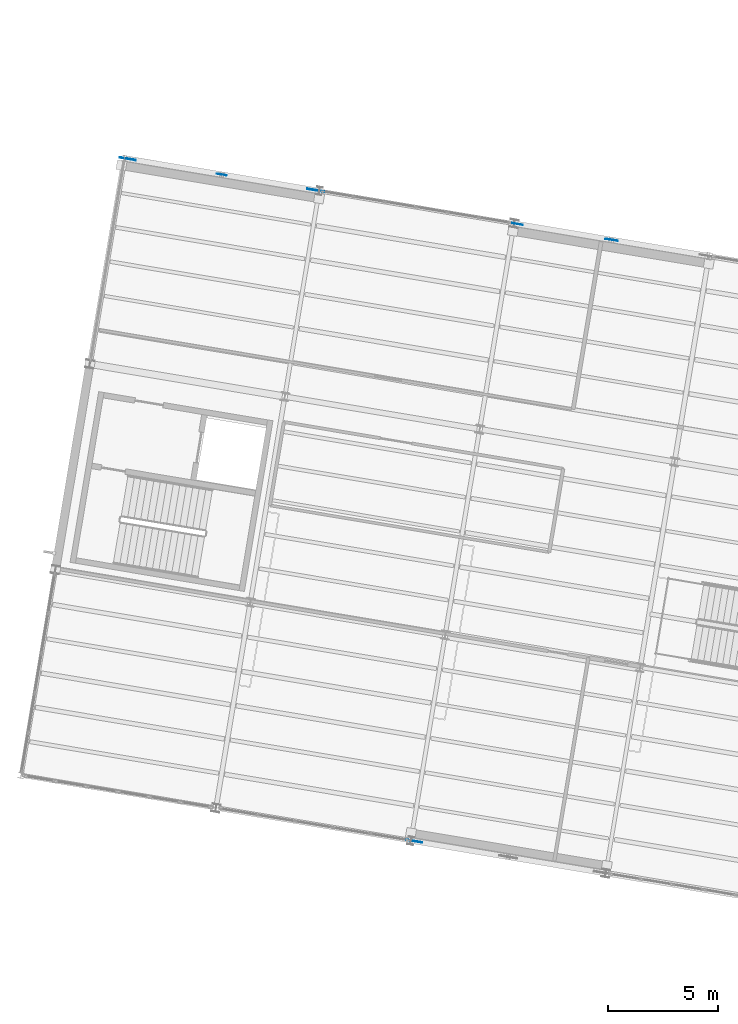
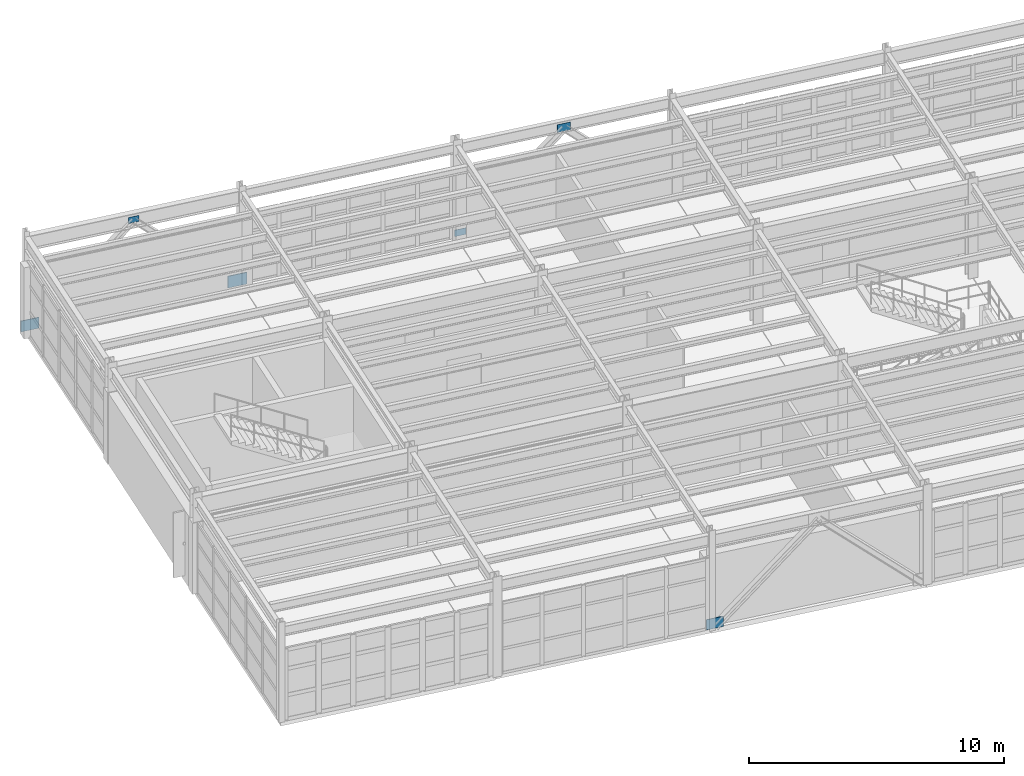
# One storey, part 83 of 109: 6 plates.
"""IFC4 building model written with IfcOpenShell, lengths in metres."""

from ifc_helpers import new_model, si_unit, direction, frame, origin, origin_2d, place, context, subcontext, project, spatial, rectangle, extrude, material, layer, layer_set, type_object, element, save


model = new_model("IFC4")

# Units and contexts
model_context = context("Model", 3, precision=1e-05, world=origin(), true_north=direction((0.0, 1.0)))
body_context = subcontext(model_context, "Body", "Model", "MODEL_VIEW")
ifc_project = project(units=[si_unit("LENGTHUNIT", "METRE"), si_unit("AREAUNIT", "SQUARE_METRE"), si_unit("VOLUMEUNIT", "CUBIC_METRE"), si_unit("PLANEANGLEUNIT", "RADIAN"), si_unit("MASSUNIT", "GRAM", prefix="KILO")], contexts=[model_context])

# Site, building, storey
site_placement = place(None, origin())
site = spatial("IfcSite", under=ifc_project, at=site_placement, CompositionType="ELEMENT")
building_placement = place(site_placement, origin())
building = spatial("IfcBuilding", under=site, at=building_placement, Name="Vireo Bluff Cable Station", CompositionType="ELEMENT")
storey_placement = place(building_placement, frame((0.0, 0.0, 4.800048828125)))
storey = spatial("IfcBuildingStorey", under=building, at=storey_placement, Name="L01", CompositionType="ELEMENT", Elevation=4.800048828125)

# Plates
ifc_material = material(Name="Steel ASTM A572 Gr. 50", Category="steel")
ifc_layer_1 = layer(ifc_material, 0.01708984375, Name="Steel ASTM A572 Gr. 50")
ifc_layer_set_1 = layer_set([ifc_layer_1], Name="Steel ASTM A572 Gr. 50")
plate_type_1 = type_object("IfcPlateType", Name="GUSSET-440X290X17", PredefinedType="USERDEFINED", material=ifc_layer_set_1)
plate_1_placement = place(storey_placement, frame((14.64208984375, 98.866455078125, 4.034912109375), z_axis=(0.0, 0.0, 1.0), x_axis=(0.986285601537, -0.165047605861, 0.0)))
element("IfcPlate", 1, at=plate_1_placement, inside=storey, type_object=plate_type_1, Name="V4 L01 chevron gusset plate 190", ObjectType="GUSSET PLATE", PredefinedType="USERDEFINED", context=body_context, shape_type="SweptSolid", body=[
    extrude(rectangle(XDim=0.43994140625, YDim=0.01708984375, at=origin_2d()), origin(), (0.0, 0.0, 1.0), 0.2900390625),
])
ifc_layer_2 = layer(ifc_material, 0.01904296875, Name="Steel ASTM A572 Gr. 50")
ifc_layer_set_2 = layer_set([ifc_layer_2], Name="Steel ASTM A572 Gr. 50")
plate_type_2 = type_object("IfcPlateType", Name="GUSSET-480X310X19", PredefinedType="USERDEFINED", material=ifc_layer_set_2)
plate_2_placement = place(storey_placement, frame((28.11474609375, 96.61181640625, 0.06494140625), z_axis=(0.0, 0.0, 1.0), x_axis=(0.986285601537, -0.165047605861, 0.0)))
element("IfcPlate", 2, at=plate_2_placement, inside=storey, type_object=plate_type_2, Name="V4 L01 brace base gusset plate 191", ObjectType="GUSSET PLATE", PredefinedType="USERDEFINED", context=body_context, shape_type="SweptSolid", body=[
    extrude(rectangle(XDim=0.47998046875, YDim=0.01904296875, at=origin_2d()), origin(), (0.0, 0.0, 1.0), 0.31005859375),
])
ifc_layer_3 = layer(ifc_material, 0.02294921875, Name="Steel ASTM A572 Gr. 50")
ifc_layer_set_3 = layer_set([ifc_layer_3], Name="Steel ASTM A572 Gr. 50")
plate_type_3 = type_object("IfcPlateType", Name="GUSSET-560X370X23", PredefinedType="USERDEFINED", material=ifc_layer_set_3)
plate_3_placement = place(storey_placement, frame((32.395263671875, 95.8955078125, 3.994873046875), z_axis=(0.0, 0.0, 1.0), x_axis=(0.986285601537, -0.165047605861, 0.0)))
element("IfcPlate", 3, at=plate_3_placement, inside=storey, type_object=plate_type_3, Name="V4 L01 chevron gusset plate 193", ObjectType="GUSSET PLATE", PredefinedType="USERDEFINED", context=body_context, shape_type="SweptSolid", body=[
    extrude(rectangle(XDim=0.56005859375, YDim=0.02294921875, at=origin_2d()), origin(), (0.0, 0.0, 1.0), 0.3701171875),
])
ifc_layer_4 = layer(ifc_material, 0.031005859375, Name="Steel ASTM A572 Gr. 50")
ifc_layer_set_4 = layer_set([ifc_layer_4], Name="Steel ASTM A572 Gr. 50")
plate_type_4 = type_object("IfcPlateType", Name="GUSSET-720X490X31", PredefinedType="USERDEFINED", material=ifc_layer_set_4)
plate_4_placement = place(storey_placement, frame((23.410888671875, 68.502685546875, -0.02490234375), z_axis=(0.0, 0.0, 1.0), x_axis=(0.986285601537, -0.165047605861, 0.0)))
element("IfcPlate", 4, at=plate_4_placement, inside=storey, type_object=plate_type_4, Name="V4 L01 brace base gusset plate 197", ObjectType="GUSSET PLATE", PredefinedType="USERDEFINED", context=body_context, shape_type="SweptSolid", body=[
    extrude(rectangle(XDim=0.719970703125, YDim=0.031005859375, at=origin_2d()), origin(), (0.0, 0.0, 1.0), 0.489990234375),
])
ifc_layer_5 = layer(ifc_material, 0.031982421875, Name="Steel ASTM A572 Gr. 50")
ifc_layer_set_5 = layer_set([ifc_layer_5], Name="Steel ASTM A572 Gr. 50")
plate_type_5 = type_object("IfcPlateType", Name="GUSSET-750X520X32", PredefinedType="USERDEFINED", material=ifc_layer_set_5)
plate_5_placement = place(storey_placement, frame((10.361572265625, 99.582763671875, -0.0400390625), z_axis=(0.0, 0.0, 1.0), x_axis=(0.986285601537, -0.165047605861, 0.0)))
element("IfcPlate", 5, at=plate_5_placement, inside=storey, type_object=plate_type_5, Name="V4 L01 brace base gusset plate 188", ObjectType="GUSSET PLATE", PredefinedType="USERDEFINED", context=body_context, shape_type="SweptSolid", body=[
    extrude(rectangle(XDim=0.75, YDim=0.031982421875, at=origin_2d()), origin(), (0.0, 0.0, 1.0), 0.52001953125),
])
ifc_layer_6 = layer(ifc_material, 0.034912109375, Name="Steel ASTM A572 Gr. 50")
ifc_layer_set_6 = layer_set([ifc_layer_6], Name="Steel ASTM A572 Gr. 50")
plate_type_6 = type_object("IfcPlateType", Name="GUSSET-800X560X35", PredefinedType="USERDEFINED", material=ifc_layer_set_6)
plate_6_placement = place(storey_placement, frame((18.922607421875, 98.150146484375, -0.06005859375), z_axis=(0.0, 0.0, 1.0), x_axis=(0.986285601537, -0.165047605861, 0.0)))
element("IfcPlate", 6, at=plate_6_placement, inside=storey, type_object=plate_type_6, Name="V4 L01 brace base gusset plate 189", ObjectType="GUSSET PLATE", PredefinedType="USERDEFINED", context=body_context, shape_type="SweptSolid", body=[
    extrude(rectangle(XDim=0.800048828125, YDim=0.034912109375, at=origin_2d()), origin(), (0.0, 0.0, 1.0), 0.56005859375),
])

save(model, "model.ifc")
